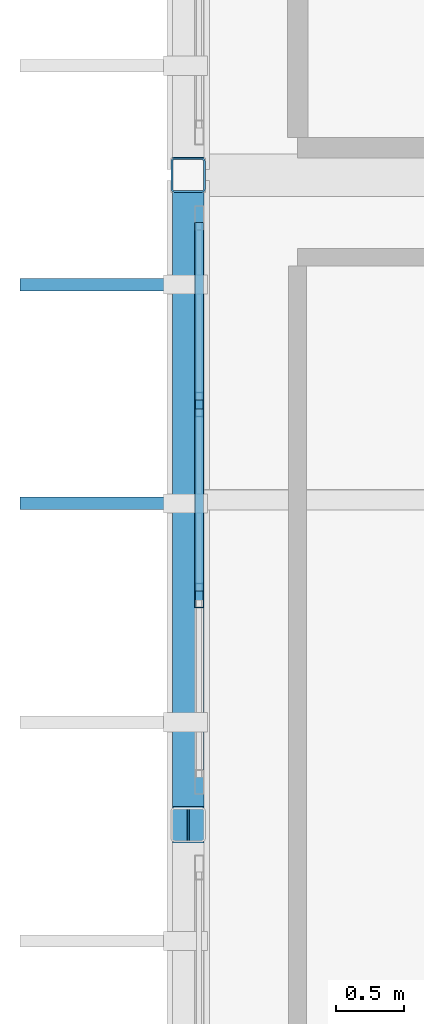
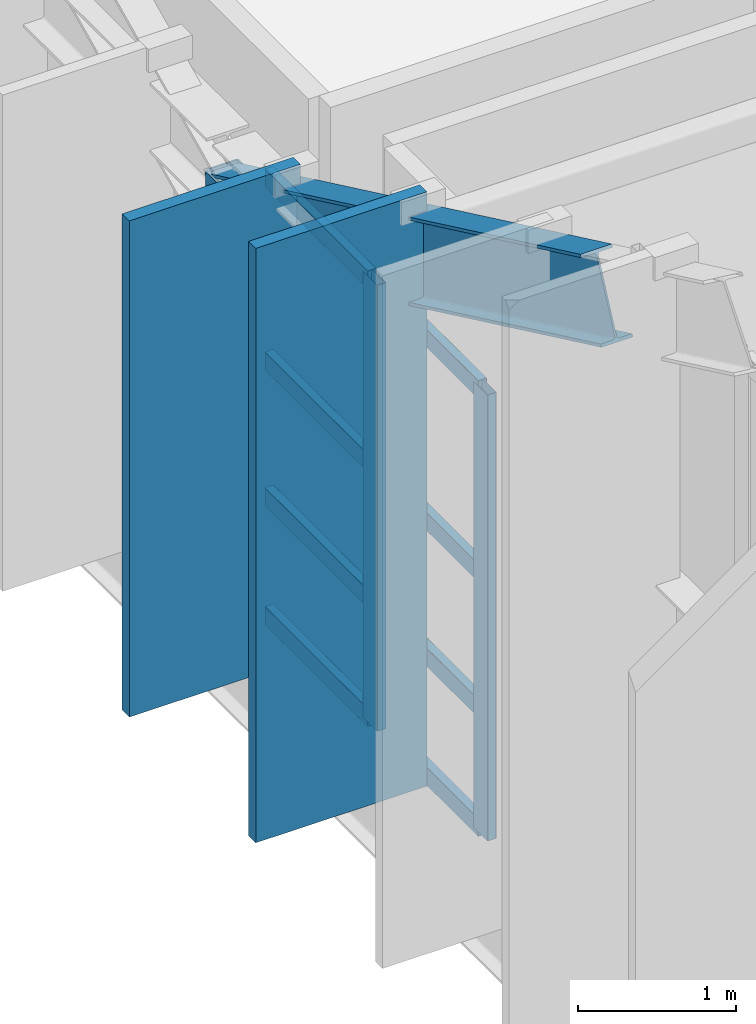
# One storey, part 16 of 68: 13 members, 1 beam, 1 element without a shape of its own.
"""IFC4 building model written with IfcOpenShell, lengths in metres."""

from ifc_helpers import new_model, si_unit, direction, frame, origin, origin_2d, place, context, subcontext, project, spatial, rectangle, hollow_rectangle, i_section, extrude, material, material_profile, profile_set, type_object, element, aggregate, save


model = new_model("IFC4")

# Units and contexts
model_context = context("Model", 3, precision=1e-05, world=origin(), true_north=direction((0.0, 1.0)))
body_context = subcontext(model_context, "Body", "Model", "MODEL_VIEW")
ifc_project = project(units=[si_unit("LENGTHUNIT", "METRE"), si_unit("AREAUNIT", "SQUARE_METRE"), si_unit("VOLUMEUNIT", "CUBIC_METRE"), si_unit("PLANEANGLEUNIT", "RADIAN"), si_unit("MASSUNIT", "GRAM", prefix="KILO")], contexts=[model_context])

# Site, building, storey
site_placement = place(None, origin())
site = spatial("IfcSite", under=ifc_project, at=site_placement, CompositionType="ELEMENT")
building_placement = place(site_placement, origin())
building = spatial("IfcBuilding", under=site, at=building_placement, Name="Miravela Opera House", CompositionType="ELEMENT")
storey_placement = place(building_placement, frame((0.0, 0.0, 21.760009765625)))
storey = spatial("IfcBuildingStorey", under=building, at=storey_placement, Name="L05", CompositionType="ELEMENT", Elevation=21.760009765625)

# Curtain wall, members
ifc_material_1 = material(Name="Anodised architectural bronze aluminium 6063-T6", Category="aluminium")
curtain_wall_type = type_object("IfcCurtainWallType", Name="ARC-CW-03", PredefinedType="NOTDEFINED", material=ifc_material_1)
curtain_wall_placement = place(storey_placement, origin())
curtain_wall = element("IfcCurtainWall", 1, at=curtain_wall_placement, inside=storey, type_object=curtain_wall_type, Name="Cantilever West Wrapper Glazing B4 CW-L05-050", PredefinedType="NOTDEFINED")
ifc_material_profile_1 = material_profile(ifc_material_1, hollow_rectangle(XDim=0.06494140625, YDim=0.179931640625, WallThickness=0.00390625, InnerFilletRadius=0.001953125, OuterFilletRadius=0.00390625, at=origin_2d()), Name="CWM-65X180")
ifc_profile_set_1 = profile_set([ifc_material_profile_1])
member_type_1 = type_object("IfcMemberType", Name="ARC-CWM-180", PredefinedType="MULLION", material=ifc_profile_set_1)
member_1_placement = place(storey_placement, frame((15.080078125, 52.9267578125, 0.0), z_axis=(0.0, 0.0, 1.0), x_axis=(-1.0, 0.0, 0.0)))
member_1 = element("IfcMember", 2, at=member_1_placement, type_object=member_type_1, Name="CW-03 mullion 2", PredefinedType="MULLION", context=body_context, shape_type="SweptSolid", body=[
    extrude(hollow_rectangle(XDim=0.06494140625, YDim=0.179931640625, WallThickness=0.00390625, InnerFilletRadius=0.001953125, OuterFilletRadius=0.00390625, at=origin_2d()), origin(), (0.0, 0.0, 1.0), 3.442626953125),
])
member_2_placement = place(storey_placement, frame((15.080078125, 54.3232421875, 0.0), z_axis=(0.0, 0.0, 1.0), x_axis=(-1.0, 0.0, 0.0)))
member_2 = element("IfcMember", 3, at=member_2_placement, type_object=member_type_1, Name="CW-03 mullion 3", PredefinedType="MULLION", context=body_context, shape_type="SweptSolid", body=[
    extrude(hollow_rectangle(XDim=0.06494140625, YDim=0.179931640625, WallThickness=0.00390625, InnerFilletRadius=0.001953125, OuterFilletRadius=0.00390625, at=origin_2d()), origin(), (0.0, 0.0, 1.0), 3.442626953125),
])
ifc_material_profile_2 = material_profile(ifc_material_1, hollow_rectangle(XDim=0.06494140625, YDim=0.139892578125, WallThickness=0.00390625, InnerFilletRadius=0.001953125, OuterFilletRadius=0.00390625, at=origin_2d()), Name="CWT-65X140")
ifc_profile_set_2 = profile_set([ifc_material_profile_2])
member_type_2 = type_object("IfcMemberType", Name="ARC-CWT-140", PredefinedType="USERDEFINED", material=ifc_profile_set_2)
member_3_placement = place(storey_placement, frame((15.080078125, 52.959228515625, 0.032470703125), z_axis=(0.0, 1.0, 0.0), x_axis=(-1.0, 0.0, 0.0)))
member_3 = element("IfcMember", 4, at=member_3_placement, type_object=member_type_2, Name="CW-03 transom 2.1", ObjectType="TRANSOM", PredefinedType="USERDEFINED", context=body_context, shape_type="SweptSolid", body=[
    extrude(hollow_rectangle(XDim=0.06494140625, YDim=0.139892578125, WallThickness=0.00390625, InnerFilletRadius=0.001953125, OuterFilletRadius=0.00390625, at=origin_2d()), origin(), (0.0, 0.0, 1.0), 1.33154296875),
])
member_4_placement = place(storey_placement, frame((15.080078125, 52.959228515625, 0.949951171875), z_axis=(0.0, 1.0, 0.0), x_axis=(-1.0, 0.0, 0.0)))
member_4 = element("IfcMember", 5, at=member_4_placement, type_object=member_type_2, Name="CW-03 transom 2.2", ObjectType="TRANSOM", PredefinedType="USERDEFINED", context=body_context, shape_type="SweptSolid", body=[
    extrude(hollow_rectangle(XDim=0.06494140625, YDim=0.139892578125, WallThickness=0.00390625, InnerFilletRadius=0.001953125, OuterFilletRadius=0.00390625, at=origin_2d()), origin(), (0.0, 0.0, 1.0), 1.33154296875),
])
member_5_placement = place(storey_placement, frame((15.080078125, 52.959228515625, 1.99658203125), z_axis=(0.0, 1.0, 0.0), x_axis=(-1.0, 0.0, 0.0)))
member_5 = element("IfcMember", 6, at=member_5_placement, type_object=member_type_2, Name="CW-03 transom 2.3", ObjectType="TRANSOM", PredefinedType="USERDEFINED", context=body_context, shape_type="SweptSolid", body=[
    extrude(hollow_rectangle(XDim=0.06494140625, YDim=0.139892578125, WallThickness=0.00390625, InnerFilletRadius=0.001953125, OuterFilletRadius=0.00390625, at=origin_2d()), origin(), (0.0, 0.0, 1.0), 1.33154296875),
])
member_6_placement = place(storey_placement, frame((15.080078125, 52.959228515625, 3.41015625), z_axis=(0.0, 1.0, 0.0), x_axis=(-1.0, 0.0, 0.0)))
member_6 = element("IfcMember", 7, at=member_6_placement, type_object=member_type_2, Name="CW-03 transom 2.4", ObjectType="TRANSOM", PredefinedType="USERDEFINED", context=body_context, shape_type="SweptSolid", body=[
    extrude(hollow_rectangle(XDim=0.06494140625, YDim=0.139892578125, WallThickness=0.00390625, InnerFilletRadius=0.001953125, OuterFilletRadius=0.00390625, at=origin_2d()), origin(), (0.0, 0.0, 1.0), 1.33154296875),
])
member_7_placement = place(storey_placement, frame((15.080078125, 54.355712890625, 0.032470703125), z_axis=(0.0, 1.0, 0.0), x_axis=(-1.0, 0.0, 0.0)))
member_7 = element("IfcMember", 8, at=member_7_placement, type_object=member_type_2, Name="CW-03 transom 3.1", ObjectType="TRANSOM", PredefinedType="USERDEFINED", context=body_context, shape_type="SweptSolid", body=[
    extrude(hollow_rectangle(XDim=0.06494140625, YDim=0.139892578125, WallThickness=0.00390625, InnerFilletRadius=0.001953125, OuterFilletRadius=0.00390625, at=origin_2d()), origin(), (0.0, 0.0, 1.0), 1.29931640625),
])
member_8_placement = place(storey_placement, frame((15.080078125, 54.355712890625, 0.949951171875), z_axis=(0.0, 1.0, 0.0), x_axis=(-1.0, 0.0, 0.0)))
member_8 = element("IfcMember", 9, at=member_8_placement, type_object=member_type_2, Name="CW-03 transom 3.2", ObjectType="TRANSOM", PredefinedType="USERDEFINED", context=body_context, shape_type="SweptSolid", body=[
    extrude(hollow_rectangle(XDim=0.06494140625, YDim=0.139892578125, WallThickness=0.00390625, InnerFilletRadius=0.001953125, OuterFilletRadius=0.00390625, at=origin_2d()), origin(), (0.0, 0.0, 1.0), 1.29931640625),
])
member_9_placement = place(storey_placement, frame((15.080078125, 54.355712890625, 1.99658203125), z_axis=(0.0, 1.0, 0.0), x_axis=(-1.0, 0.0, 0.0)))
member_9 = element("IfcMember", 10, at=member_9_placement, type_object=member_type_2, Name="CW-03 transom 3.3", ObjectType="TRANSOM", PredefinedType="USERDEFINED", context=body_context, shape_type="SweptSolid", body=[
    extrude(hollow_rectangle(XDim=0.06494140625, YDim=0.139892578125, WallThickness=0.00390625, InnerFilletRadius=0.001953125, OuterFilletRadius=0.00390625, at=origin_2d()), origin(), (0.0, 0.0, 1.0), 1.29931640625),
])
member_10_placement = place(storey_placement, frame((15.080078125, 54.355712890625, 3.41015625), z_axis=(0.0, 1.0, 0.0), x_axis=(-1.0, 0.0, 0.0)))
member_10 = element("IfcMember", 11, at=member_10_placement, type_object=member_type_2, Name="CW-03 transom 3.4", ObjectType="TRANSOM", PredefinedType="USERDEFINED", context=body_context, shape_type="SweptSolid", body=[
    extrude(hollow_rectangle(XDim=0.06494140625, YDim=0.139892578125, WallThickness=0.00390625, InnerFilletRadius=0.001953125, OuterFilletRadius=0.00390625, at=origin_2d()), origin(), (0.0, 0.0, 1.0), 1.29931640625),
])
aggregate(curtain_wall, [member_1, member_2, member_3, member_4, member_5, member_6, member_7, member_8, member_9, member_10])

# Members
ifc_material_profile_3 = material_profile(ifc_material_1, rectangle(XDim=0.090087890625, YDim=1.25, at=origin_2d()), Name="FIN-1250X90")
ifc_profile_set_3 = profile_set([ifc_material_profile_3])
member_type_3 = type_object("IfcMemberType", Name="ARC-FIN-1250", PredefinedType="USERDEFINED", material=ifc_profile_set_3)
member_11_placement = place(storey_placement, frame((14.39501953125, 53.60009765625, 0.0), z_axis=(0.0, 0.0, 1.0), x_axis=(0.0, 1.0, 0.0)))
element("IfcMember", 12, at=member_11_placement, inside=storey, type_object=member_type_3, Name="Auditorium Wrapper Bronze Solar Fin FIN-L05-WEST-0151", ObjectType="FIN", PredefinedType="USERDEFINED", context=body_context, shape_type="SweptSolid", body=[
    extrude(rectangle(XDim=0.090087890625, YDim=1.25, at=origin_2d()), origin(), (0.0, 0.0, 1.0), 4.586669921875),
])
member_12_placement = place(storey_placement, frame((14.39501953125, 55.199951171875, 0.0), z_axis=(0.0, 0.0, 1.0), x_axis=(0.0, 1.0, 0.0)))
element("IfcMember", 13, at=member_12_placement, inside=storey, type_object=member_type_3, Name="Auditorium Wrapper Bronze Solar Fin FIN-L05-WEST-0152", ObjectType="FIN", PredefinedType="USERDEFINED", context=body_context, shape_type="SweptSolid", body=[
    extrude(rectangle(XDim=0.090087890625, YDim=1.25, at=origin_2d()), origin(), (0.0, 0.0, 1.0), 3.828857421875),
])

# Beam
ifc_material_2 = material(Name="Structural steel ASTM A992 Gr. 50", Category="steel")
ifc_material_profile_4 = material_profile(ifc_material_2, i_section(OverallWidth=0.22998046875, OverallDepth=0.616943359375, WebThickness=0.01318359375, FlangeThickness=0.022216796875, FilletRadius=0.01806640625, at=origin_2d()), Name="W610X140")
ifc_profile_set_4 = profile_set([ifc_material_profile_4])
beam_type = type_object("IfcBeamType", Name="STR-BM-W610X140", PredefinedType="BEAM", material=ifc_profile_set_4)
beam_placement = place(storey_placement, frame((15.0, 51.25, 5.189453125), z_axis=(0.0, 0.903737838894, -0.428086344739), x_axis=(-1.0, 0.0, 0.0)))
element("IfcBeam", 14, at=beam_placement, inside=storey, type_object=beam_type, Name="V-Crest Roof Rafter Girder X=15 Seg 4", PredefinedType="BEAM", context=body_context, shape_type="SweptSolid", body=[
    extrude(i_section(OverallWidth=0.22998046875, OverallDepth=0.616943359375, WebThickness=0.01318359375, FlangeThickness=0.022216796875, FilletRadius=0.01806640625, at=origin_2d()), origin(), (0.0, 0.0, 1.0), 5.255859375),
])

# Member
ifc_material_3 = material(Name="Hollow structural steel ASTM A500 Gr. C", Category="steel")
ifc_material_profile_5 = material_profile(ifc_material_3, hollow_rectangle(XDim=0.25, YDim=0.25, WallThickness=0.011962890625, InnerFilletRadius=0.011962890625, OuterFilletRadius=0.02392578125, at=origin_2d()), Name="HSS250X250X12")
ifc_profile_set_5 = profile_set([ifc_material_profile_5])
member_type_4 = type_object("IfcMemberType", Name="STR-MEM-CANT-POST2", PredefinedType="POST", material=ifc_profile_set_5)
member_13_placement = place(storey_placement, frame((15.0, 56.0, -0.5400390625), z_axis=(0.0, 0.0, 1.0), x_axis=(1.0, 0.0, 0.0)))
element("IfcMember", 15, at=member_13_placement, inside=storey, type_object=member_type_4, Name="Upper Wrapper Truss Post L05 X=15.0", PredefinedType="POST", context=body_context, shape_type="SweptSolid", body=[
    extrude(hollow_rectangle(XDim=0.25, YDim=0.25, WallThickness=0.011962890625, InnerFilletRadius=0.011962890625, OuterFilletRadius=0.02392578125, at=origin_2d()), origin(), (0.0, 0.0, 1.0), 3.7900390625),
])

save(model, "model.ifc")
